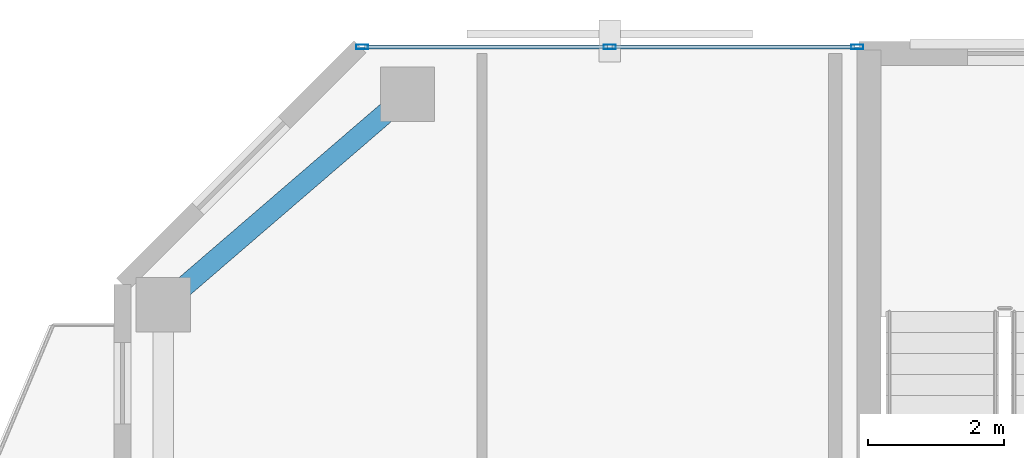
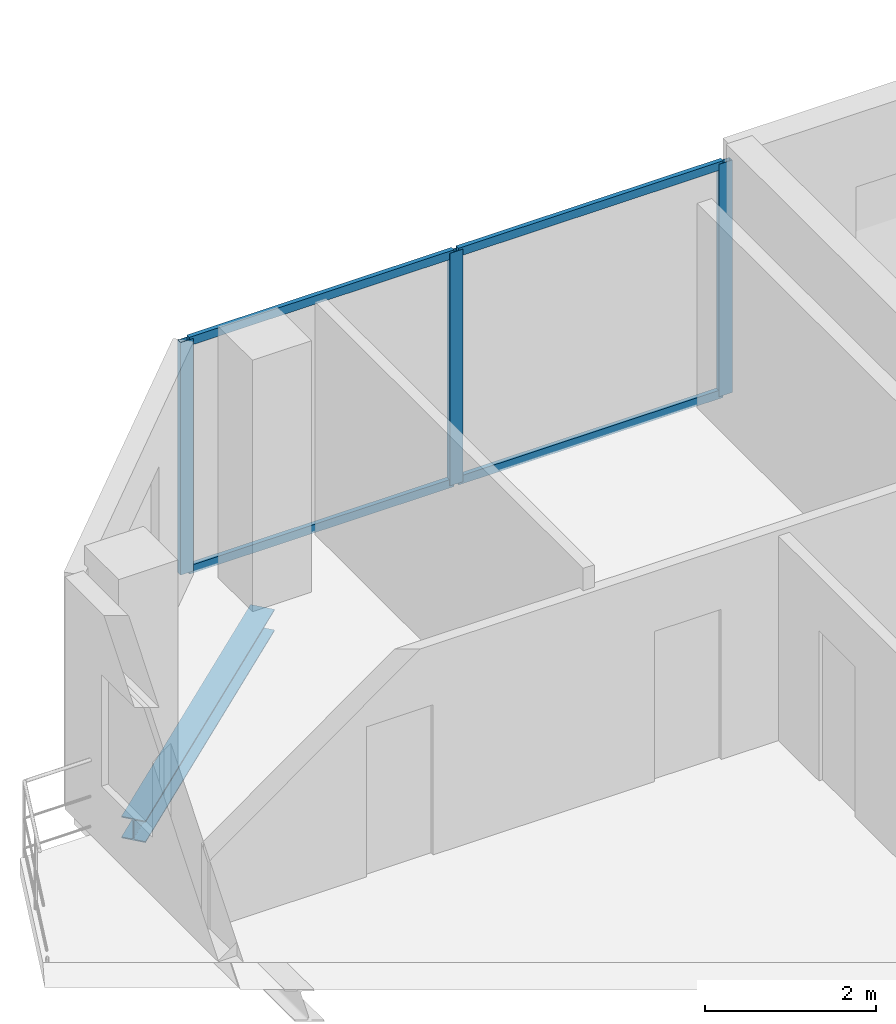
# One storey, part 15 of 24: 7 members, 1 beam, 1 element without a shape of its own.
"""IFC4 building model written with IfcOpenShell, lengths in metres."""

from ifc_helpers import new_model, si_unit, direction, frame, origin, origin_2d, place, context, subcontext, project, spatial, hollow_rectangle, i_section, extrude, material, layer, layer_set, material_profile, profile_set, type_object, element, aggregate, save


model = new_model("IFC4")

# Units and contexts
model_context = context("Model", 3, precision=1e-05, world=origin(), true_north=direction((0.0, 1.0)))
body_context = subcontext(model_context, "Body", "Model", "MODEL_VIEW")
ifc_project = project(units=[si_unit("LENGTHUNIT", "METRE"), si_unit("AREAUNIT", "SQUARE_METRE"), si_unit("VOLUMEUNIT", "CUBIC_METRE"), si_unit("PLANEANGLEUNIT", "RADIAN"), si_unit("MASSUNIT", "GRAM", prefix="KILO")], contexts=[model_context])

# Site, building, storey
site_placement = place(None, origin())
site = spatial("IfcSite", under=ifc_project, at=site_placement, CompositionType="ELEMENT")
building_placement = place(site_placement, origin())
building = spatial("IfcBuilding", under=site, at=building_placement, Name="Catumbela Crestline Tower", CompositionType="ELEMENT")
storey_placement = place(building_placement, frame((0.0, 0.0, 161.4)))
storey = spatial("IfcBuildingStorey", under=building, at=storey_placement, Name="L41", CompositionType="ELEMENT", Elevation=161.4)

# Curtain wall, members
ifc_material_1 = material(Name="Aluminium alloy AW-6060-T66", Category="aluminium")
ifc_layer = layer(ifc_material_1, 0.18, Name="Aluminium alloy AW-6060-T66")
ifc_layer_set = layer_set([ifc_layer], Name="Aluminium alloy AW-6060-T66")
curtain_wall_type = type_object("IfcCurtainWallType", Name="CWU-Z3", PredefinedType="USERDEFINED", material=ifc_layer_set)
curtain_wall_placement = place(storey_placement, origin())
curtain_wall = element("IfcCurtainWall", 1, at=curtain_wall_placement, inside=storey, type_object=curtain_wall_type, Name="L41 Unitised Curtain Wall CW-L41-E7S2", ObjectType="UNITISED", PredefinedType="USERDEFINED")
ifc_material_profile_1 = material_profile(ifc_material_1, hollow_rectangle(XDim=0.065, YDim=0.18, WallThickness=0.004, at=origin_2d()), Name="ALU 180x65x4")
ifc_profile_set_1 = profile_set([ifc_material_profile_1], Name="Aluminium alloy AW-6060-T66")
member_type_1 = type_object("IfcMemberType", Name="MUL-180X65", PredefinedType="MULLION", material=ifc_profile_set_1)
member_1_placement = place(storey_placement, frame((15.8275, 43.0, 0.0), z_axis=(0.0, 0.0, 1.0), x_axis=(0.0, -1.0, 0.0)))
member_1 = element("IfcMember", 2, at=member_1_placement, type_object=member_type_1, Name="CWU-Z3 mullion 1", PredefinedType="MULLION", context=body_context, shape_type="SweptSolid", body=[
    extrude(hollow_rectangle(XDim=0.065, YDim=0.18, WallThickness=0.004, at=origin_2d()), origin(), (0.0, 0.0, 1.0), 3.33),
])
member_2_placement = place(storey_placement, frame((12.18, 43.0, 0.0), z_axis=(0.0, 0.0, 1.0), x_axis=(0.0, -1.0, 0.0)))
member_2 = element("IfcMember", 3, at=member_2_placement, type_object=member_type_1, Name="CWU-Z3 mullion 2", PredefinedType="MULLION", context=body_context, shape_type="SweptSolid", body=[
    extrude(hollow_rectangle(XDim=0.065, YDim=0.18, WallThickness=0.004, at=origin_2d()), origin(), (0.0, 0.0, 1.0), 3.33),
])
member_3_placement = place(storey_placement, frame((8.5325, 43.0, 0.0), z_axis=(0.0, 0.0, 1.0), x_axis=(0.0, -1.0, 0.0)))
member_3 = element("IfcMember", 4, at=member_3_placement, type_object=member_type_1, Name="CWU-Z3 mullion 3", PredefinedType="MULLION", context=body_context, shape_type="SweptSolid", body=[
    extrude(hollow_rectangle(XDim=0.065, YDim=0.18, WallThickness=0.004, at=origin_2d()), origin(), (0.0, 0.0, 1.0), 3.33),
])

# Beam
ifc_material_2 = material(Name="Structural steel S355J2", Category="steel")
ifc_material_profile_2 = material_profile(ifc_material_2, i_section(OverallWidth=0.3, OverallDepth=0.31, WebThickness=0.009, FlangeThickness=0.0155, FilletRadius=0.027, at=origin_2d()), Name="HEA 320")
ifc_profile_set_2 = profile_set([ifc_material_profile_2], Name="Structural steel S355J2")
beam_type = type_object("IfcBeamType", Name="BS-HEA320", PredefinedType="SPANDREL", material=ifc_profile_set_2)
beam_placement = place(storey_placement, frame((5.6606, 39.2522, -0.415), z_axis=(0.757772392559, 0.652518966066, 0.0), x_axis=(-0.652518966066, 0.757772392559, 0.0)))
element("IfcBeam", 5, at=beam_placement, inside=storey, type_object=beam_type, Name="L41 Spandrel SP-L41-N10", PredefinedType="SPANDREL", context=body_context, shape_type="SweptSolid", body=[
    extrude(i_section(OverallWidth=0.3, OverallDepth=0.31, WebThickness=0.009, FlangeThickness=0.0155, FilletRadius=0.027, at=origin_2d()), origin(), (0.0, 0.0, 1.0), 4.5908),
])

# Member
ifc_material_profile_3 = material_profile(ifc_material_1, hollow_rectangle(XDim=0.06, YDim=0.12, WallThickness=0.0035, at=origin_2d()), Name="ALU 120x60x3.5")
ifc_profile_set_3 = profile_set([ifc_material_profile_3], Name="Aluminium alloy AW-6060-T66")
member_type_2 = type_object("IfcMemberType", Name="TRN-120X60", PredefinedType="USERDEFINED", material=ifc_profile_set_3)
member_4_placement = place(storey_placement, frame((15.795, 43.0, 0.03), z_axis=(-1.0, 0.0, 0.0), x_axis=(0.0, -1.0, 0.0)))
member_4 = element("IfcMember", 6, at=member_4_placement, type_object=member_type_2, Name="CWU-Z3 transom 1.1", ObjectType="TRANSOM", PredefinedType="USERDEFINED", context=body_context, shape_type="SweptSolid", body=[
    extrude(hollow_rectangle(XDim=0.06, YDim=0.12, WallThickness=0.0035, at=origin_2d()), origin(), (0.0, 0.0, 1.0), 3.5825),
])

member_5_placement = place(storey_placement, frame((15.795, 43.0, 3.3), z_axis=(-1.0, 0.0, 0.0), x_axis=(0.0, -1.0, 0.0)))
member_5 = element("IfcMember", 7, at=member_5_placement, type_object=member_type_2, Name="CWU-Z3 transom 1.2", ObjectType="TRANSOM", PredefinedType="USERDEFINED", context=body_context, shape_type="SweptSolid", body=[
    extrude(hollow_rectangle(XDim=0.06, YDim=0.12, WallThickness=0.0035, at=origin_2d()), origin(), (0.0, 0.0, 1.0), 3.5825),
])

member_6_placement = place(storey_placement, frame((12.1475, 43.0, 0.03), z_axis=(-1.0, 0.0, 0.0), x_axis=(0.0, -1.0, 0.0)))
member_6 = element("IfcMember", 8, at=member_6_placement, type_object=member_type_2, Name="CWU-Z3 transom 2.1", ObjectType="TRANSOM", PredefinedType="USERDEFINED", context=body_context, shape_type="SweptSolid", body=[
    extrude(hollow_rectangle(XDim=0.06, YDim=0.12, WallThickness=0.0035, at=origin_2d()), origin(), (0.0, 0.0, 1.0), 3.5825),
])

member_7_placement = place(storey_placement, frame((12.1475, 43.0, 3.3), z_axis=(-1.0, 0.0, 0.0), x_axis=(0.0, -1.0, 0.0)))
member_7 = element("IfcMember", 9, at=member_7_placement, type_object=member_type_2, Name="CWU-Z3 transom 2.2", ObjectType="TRANSOM", PredefinedType="USERDEFINED", context=body_context, shape_type="SweptSolid", body=[
    extrude(hollow_rectangle(XDim=0.06, YDim=0.12, WallThickness=0.0035, at=origin_2d()), origin(), (0.0, 0.0, 1.0), 3.5825),
])

aggregate(curtain_wall, [member_1, member_2, member_3, member_4, member_5, member_6, member_7])

save(model, "model.ifc")
